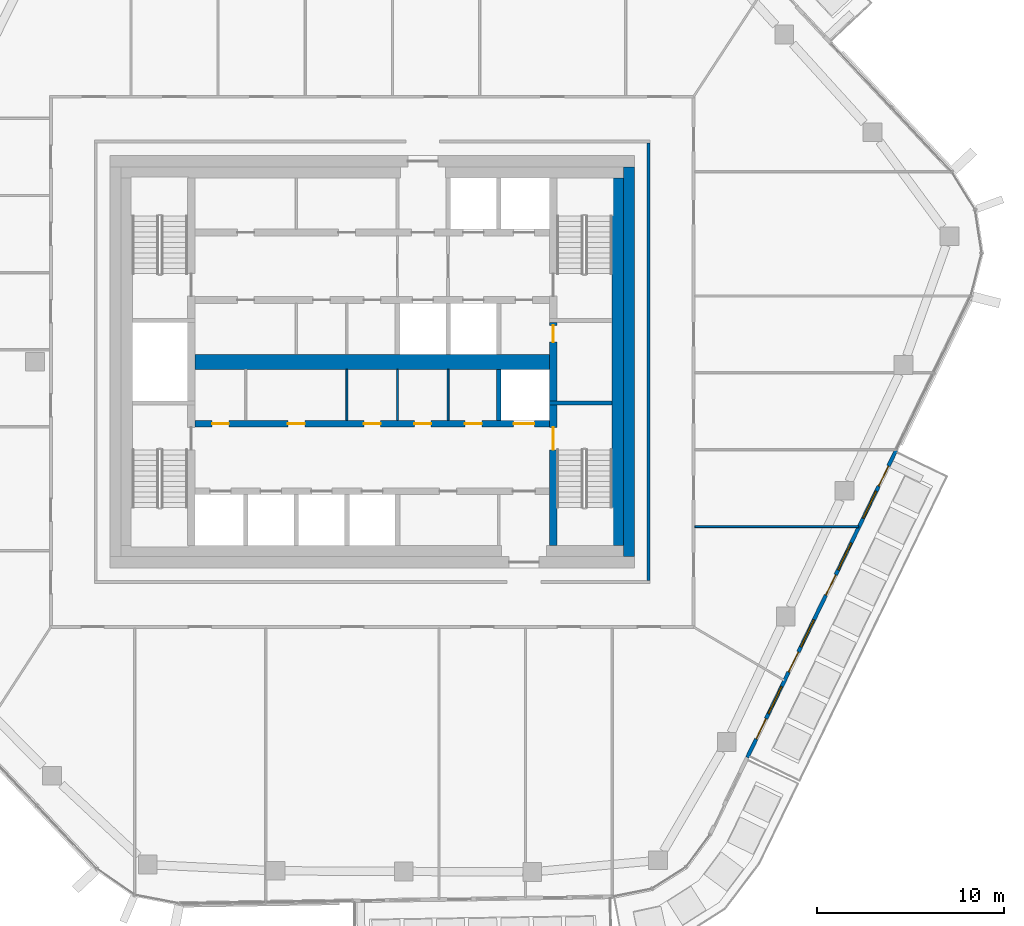
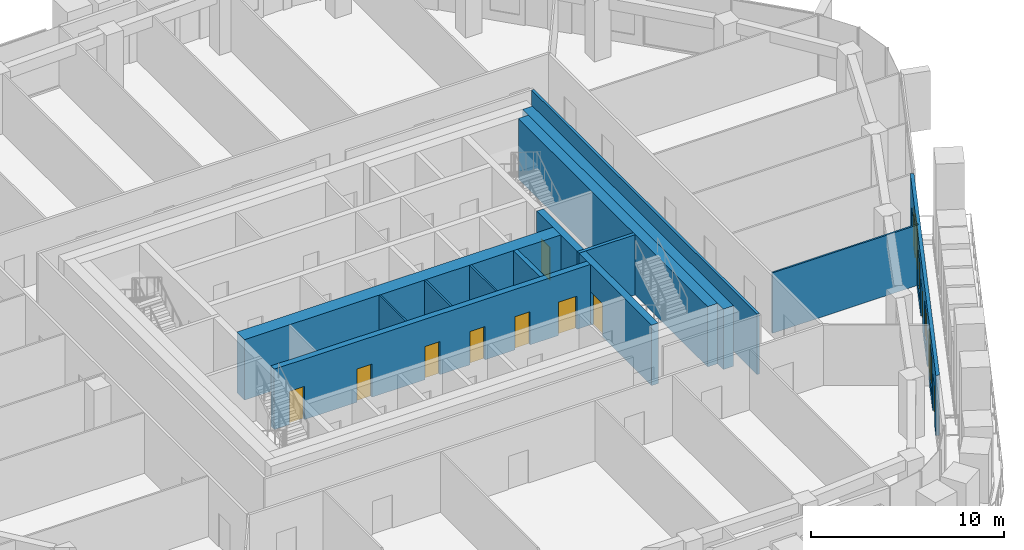
# One storey, part 14 of 24: 14 walls, 12 doors, 4 windows, 16 openings.
"""IFC4 building model written with IfcOpenShell, lengths in metres."""

from ifc_helpers import new_model, si_unit, direction, frame, frame_2d, origin, place, context, subcontext, project, spatial, rectangle, extrude, material, layer, layer_set, type_object, element, fill, save


model = new_model("IFC4")

# Units and contexts
model_context = context("Model", 3, precision=1e-05, world=origin(), true_north=direction((0.0, 1.0)))
body_context = subcontext(model_context, "Body", "Model", "MODEL_VIEW")
ifc_project = project(units=[si_unit("LENGTHUNIT", "METRE"), si_unit("AREAUNIT", "SQUARE_METRE"), si_unit("VOLUMEUNIT", "CUBIC_METRE"), si_unit("PLANEANGLEUNIT", "RADIAN"), si_unit("MASSUNIT", "GRAM", prefix="KILO")], contexts=[model_context])

# Site, building, storey
site_placement = place(None, origin())
site = spatial("IfcSite", under=ifc_project, at=site_placement, CompositionType="ELEMENT")
building_placement = place(site_placement, origin())
building = spatial("IfcBuilding", under=site, at=building_placement, Name="Dongbaek Canopy Tower", CompositionType="ELEMENT")
storey_placement = place(building_placement, frame((0.0, 0.0, 302.60009765625)))
storey = spatial("IfcBuildingStorey", under=building, at=storey_placement, Name="L64", CompositionType="ELEMENT", Elevation=302.60009765625)

# Wall
ifc_material_1 = material(Name="Concrete C60/75", Category="concrete")
ifc_layer_1 = layer(ifc_material_1, 0.800048828125)
ifc_layer_set_1 = layer_set([ifc_layer_1], Name="Core central wall 800 Concrete C60/75")
wall_type_1 = type_object("IfcWallType", Name="Core central wall 800 Concrete C60/75", PredefinedType="SHEAR", material=ifc_layer_set_1)
wall_1_placement = place(storey_placement, frame((-9.449951171875, 0.0, 0.0), z_axis=(0.0, 0.0, 1.0), x_axis=(1.0, 0.0, 0.0)))
element("IfcWall", 1, at=wall_1_placement, inside=storey, type_object=wall_type_1, Name="Core wall", PredefinedType="SHEAR", context=body_context, shape_type="SweptSolid", body=[
    extrude(rectangle(XDim=18.89990234375, YDim=0.800048828125, at=frame_2d((9.449951171875, 0.0))), origin(), (0.0, 0.0, 1.0), 3.81982421875),
])

# Wall, openings, doors
ifc_material_2 = material(Name="Concrete C60/75", Category="concrete")
ifc_layer_2 = layer(ifc_material_2, 0.35009765625)
ifc_layer_set_2 = layer_set([ifc_layer_2], Name="Core lobby wall 350 Concrete C60/75")
wall_type_2 = type_object("IfcWallType", Name="Core lobby wall 350 Concrete C60/75", PredefinedType="SHEAR", material=ifc_layer_set_2)
wall_2_placement = place(storey_placement, frame((-9.449951171875, -3.300048828125, 0.0), z_axis=(0.0, 0.0, 1.0), x_axis=(1.0, 0.0, 0.0)))
wall_2 = element("IfcWall", 2, at=wall_2_placement, inside=storey, type_object=wall_type_2, Name="Core wall", PredefinedType="SHEAR", context=body_context, shape_type="SweptSolid", body=[
    extrude(rectangle(XDim=18.89990234375, YDim=0.35009765625, at=frame_2d((9.449951171875, 0.0))), origin(), (0.0, 0.0, 1.0), 3.81982421875),
])
opening_1_placement = place(wall_2_placement, frame((17.0, 0.0, 0.0)))
opening_1 = element("IfcOpeningElement", 3, at=opening_1_placement, cuts=wall_2, Name="Opening L64-D034", PredefinedType="OPENING", context=body_context, shape_type="SweptSolid", body=[
    extrude(rectangle(XDim=1.10009765625, YDim=2.10009765625, at=frame_2d((0.550048828125, 1.050048828125))), frame((0.0, 0.18505859375, 0.0), z_axis=(0.0, -1.0, 0.0), x_axis=(1.0, 0.0, 0.0)), (0.0, 0.0, 1.0), 0.3701171875),
])
opening_2_placement = place(wall_2_placement, frame((0.89990234375, 0.0, 0.0)))
opening_2 = element("IfcOpeningElement", 4, at=opening_2_placement, cuts=wall_2, Name="Opening L64-D046", PredefinedType="OPENING", context=body_context, shape_type="SweptSolid", body=[
    extrude(rectangle(XDim=0.89990234375, YDim=2.10009765625, at=frame_2d((0.449951171875, 1.050048828125))), frame((0.0, 0.18505859375, 0.0), z_axis=(0.0, -1.0, 0.0), x_axis=(1.0, 0.0, 0.0)), (0.0, 0.0, 1.0), 0.3701171875),
])
opening_3_placement = place(wall_2_placement, frame((4.949951171875, 0.0, 0.0)))
opening_3 = element("IfcOpeningElement", 5, at=opening_3_placement, cuts=wall_2, Name="Opening L64-D047", PredefinedType="OPENING", context=body_context, shape_type="SweptSolid", body=[
    extrude(rectangle(XDim=0.89990234375, YDim=2.10009765625, at=frame_2d((0.449951171875, 1.050048828125))), frame((0.0, 0.18505859375, 0.0), z_axis=(0.0, -1.0, 0.0), x_axis=(1.0, 0.0, 0.0)), (0.0, 0.0, 1.0), 0.3701171875),
])
opening_4_placement = place(wall_2_placement, frame((9.0, 0.0, 0.0)))
opening_4 = element("IfcOpeningElement", 6, at=opening_4_placement, cuts=wall_2, Name="Opening L64-D048", PredefinedType="OPENING", context=body_context, shape_type="SweptSolid", body=[
    extrude(rectangle(XDim=0.89990234375, YDim=2.10009765625, at=frame_2d((0.449951171875, 1.050048828125))), frame((0.0, 0.18505859375, 0.0), z_axis=(0.0, -1.0, 0.0), x_axis=(1.0, 0.0, 0.0)), (0.0, 0.0, 1.0), 0.3701171875),
])
opening_5_placement = place(wall_2_placement, frame((11.699951171875, 0.0, 0.0)))
opening_5 = element("IfcOpeningElement", 7, at=opening_5_placement, cuts=wall_2, Name="Opening L64-D049", PredefinedType="OPENING", context=body_context, shape_type="SweptSolid", body=[
    extrude(rectangle(XDim=0.89990234375, YDim=2.10009765625, at=frame_2d((0.449951171875, 1.050048828125))), frame((0.0, 0.18505859375, 0.0), z_axis=(0.0, -1.0, 0.0), x_axis=(1.0, 0.0, 0.0)), (0.0, 0.0, 1.0), 0.3701171875),
])
opening_6_placement = place(wall_2_placement, frame((14.39990234375, 0.0, 0.0)))
opening_6 = element("IfcOpeningElement", 8, at=opening_6_placement, cuts=wall_2, Name="Opening L64-D050", PredefinedType="OPENING", context=body_context, shape_type="SweptSolid", body=[
    extrude(rectangle(XDim=0.89990234375, YDim=2.10009765625, at=frame_2d((0.449951171875, 1.050048828125))), frame((0.0, 0.18505859375, 0.0), z_axis=(0.0, -1.0, 0.0), x_axis=(1.0, 0.0, 0.0)), (0.0, 0.0, 1.0), 0.3701171875),
])
ifc_material_3 = material(Name="Steel", Category="steel")
door_type_1 = type_object("IfcDoorType", Name="Core room door 900 x 2100", OperationType="SINGLE_SWING_LEFT", PredefinedType="DOOR", material=ifc_material_3)
door_1_placement = place(opening_2_placement, origin())
door_1 = element("IfcDoor", 9, at=door_1_placement, inside=storey, type_object=door_type_1, Name="Door L64-D046", OperationType="SINGLE_SWING_LEFT", OverallHeight=2.10009765625, OverallWidth=0.89990234375, PredefinedType="DOOR", context=body_context, shape_type="SweptSolid", body=[
    extrude(rectangle(XDim=0.89990234375, YDim=2.10009765625, at=frame_2d((0.449951171875, 1.050048828125))), frame((0.0, 0.02490234375, 0.0), z_axis=(0.0, -1.0, 0.0), x_axis=(1.0, 0.0, 0.0)), (0.0, 0.0, 1.0), 0.050048828125),
])
fill(opening_2, door_1)
door_2_placement = place(opening_3_placement, origin())
door_2 = element("IfcDoor", 10, at=door_2_placement, inside=storey, type_object=door_type_1, Name="Door L64-D047", OperationType="SINGLE_SWING_RIGHT", OverallHeight=2.10009765625, OverallWidth=0.89990234375, PredefinedType="DOOR", context=body_context, shape_type="SweptSolid", body=[
    extrude(rectangle(XDim=0.89990234375, YDim=2.10009765625, at=frame_2d((0.449951171875, 1.050048828125))), frame((0.0, 0.02490234375, 0.0), z_axis=(0.0, -1.0, 0.0), x_axis=(1.0, 0.0, 0.0)), (0.0, 0.0, 1.0), 0.050048828125),
])
fill(opening_3, door_2)
door_3_placement = place(opening_4_placement, origin())
door_3 = element("IfcDoor", 11, at=door_3_placement, inside=storey, type_object=door_type_1, Name="Door L64-D048", OperationType="SINGLE_SWING_LEFT", OverallHeight=2.10009765625, OverallWidth=0.89990234375, PredefinedType="DOOR", context=body_context, shape_type="SweptSolid", body=[
    extrude(rectangle(XDim=0.89990234375, YDim=2.10009765625, at=frame_2d((0.449951171875, 1.050048828125))), frame((0.0, 0.02490234375, 0.0), z_axis=(0.0, -1.0, 0.0), x_axis=(1.0, 0.0, 0.0)), (0.0, 0.0, 1.0), 0.050048828125),
])
fill(opening_4, door_3)
door_4_placement = place(opening_5_placement, origin())
door_4 = element("IfcDoor", 12, at=door_4_placement, inside=storey, type_object=door_type_1, Name="Door L64-D049", OperationType="SINGLE_SWING_RIGHT", OverallHeight=2.10009765625, OverallWidth=0.89990234375, PredefinedType="DOOR", context=body_context, shape_type="SweptSolid", body=[
    extrude(rectangle(XDim=0.89990234375, YDim=2.10009765625, at=frame_2d((0.449951171875, 1.050048828125))), frame((0.0, 0.02490234375, 0.0), z_axis=(0.0, -1.0, 0.0), x_axis=(1.0, 0.0, 0.0)), (0.0, 0.0, 1.0), 0.050048828125),
])
fill(opening_5, door_4)
door_5_placement = place(opening_6_placement, origin())
door_5 = element("IfcDoor", 13, at=door_5_placement, inside=storey, type_object=door_type_1, Name="Door L64-D050", OperationType="SINGLE_SWING_LEFT", OverallHeight=2.10009765625, OverallWidth=0.89990234375, PredefinedType="DOOR", context=body_context, shape_type="SweptSolid", body=[
    extrude(rectangle(XDim=0.89990234375, YDim=2.10009765625, at=frame_2d((0.449951171875, 1.050048828125))), frame((0.0, 0.02490234375, 0.0), z_axis=(0.0, -1.0, 0.0), x_axis=(1.0, 0.0, 0.0)), (0.0, 0.0, 1.0), 0.050048828125),
])
fill(opening_6, door_5)
ifc_material_4 = material(Name="Stainless steel", Category="steel")
door_type_2 = type_object("IfcDoorType", Name="Lift landing door 1100 x 2100", OperationType="DOUBLE_DOOR_SLIDING", PredefinedType="DOOR", material=ifc_material_4)
door_6_placement = place(opening_1_placement, origin())
door_6 = element("IfcDoor", 14, at=door_6_placement, inside=storey, type_object=door_type_2, Name="Landing door SV2", OperationType="DOUBLE_DOOR_SLIDING", OverallHeight=2.10009765625, OverallWidth=1.10009765625, PredefinedType="DOOR", context=body_context, shape_type="SweptSolid", body=[
    extrude(rectangle(XDim=1.10009765625, YDim=2.10009765625, at=frame_2d((0.550048828125, 1.050048828125))), frame((0.0, 0.02490234375, 0.0), z_axis=(0.0, -1.0, 0.0), x_axis=(1.0, 0.0, 0.0)), (0.0, 0.0, 1.0), 0.050048828125),
])
fill(opening_1, door_6)

# Walls
ifc_material_5 = material(Name="Concrete C80/95", Category="concrete")
ifc_layer_3 = layer(ifc_material_5, 0.60009765625)
ifc_layer_set_3 = layer_set([ifc_layer_3], Name="Core outer wall 600 Concrete C80/95")
wall_type_3 = type_object("IfcWallType", Name="Core outer wall 600 Concrete C80/95", PredefinedType="SHEAR", material=ifc_layer_set_3)
wall_3_placement = place(storey_placement, frame((13.699951171875, 10.39990234375, 0.0), z_axis=(0.0, 0.0, 1.0), x_axis=(0.0, -1.0, 0.0)))
element("IfcWall", 15, at=wall_3_placement, inside=storey, type_object=wall_type_3, Name="Core wall", PredefinedType="SHEAR", context=body_context, shape_type="SweptSolid", body=[
    extrude(rectangle(XDim=20.7998046875, YDim=0.60009765625, at=frame_2d((10.39990234375, 0.0))), origin(), (0.0, 0.0, 1.0), 3.81982421875),
])
ifc_material_6 = material(Name="Concrete C60/75", Category="concrete")
ifc_layer_4 = layer(ifc_material_6, 0.60009765625)
ifc_layer_set_4 = layer_set([ifc_layer_4], Name="Core wall lining 600 Concrete C60/75")
wall_type_4 = type_object("IfcWallType", Name="Core wall lining 600 Concrete C60/75", PredefinedType="SHEAR", material=ifc_layer_set_4)
wall_4_placement = place(storey_placement, frame((13.10009765625, 9.800048828125, 0.0), z_axis=(0.0, 0.0, 1.0), x_axis=(0.0, -1.0, 0.0)))
element("IfcWall", 16, at=wall_4_placement, inside=storey, type_object=wall_type_4, Name="Core wall lining", PredefinedType="SHEAR", context=body_context, shape_type="SweptSolid", body=[
    extrude(rectangle(XDim=19.60009765625, YDim=0.60009765625, at=frame_2d((9.800048828125, 0.0))), origin(), (0.0, 0.0, 1.0), 3.81982421875),
])
ifc_material_7 = material(Name="Gypsum board partition, steel stud, 2 x 15 mm fire board", Category="steel")
ifc_layer_5 = layer(ifc_material_7, 0.14990234375)
ifc_layer_set_5 = layer_set([ifc_layer_5], Name="Fire-rated partition 150 gypsum board")
wall_type_5 = type_object("IfcWallType", Name="Fire-rated partition 150 gypsum board", PredefinedType="PARTITIONING", material=ifc_layer_set_5)
wall_5_placement = place(storey_placement, frame((14.75, -11.675048828125, 0.0), z_axis=(0.0, 0.0, 1.0), x_axis=(0.0, 1.0, 0.0)))
element("IfcWall", 17, at=wall_5_placement, inside=storey, type_object=wall_type_5, Name="Corridor partition", PredefinedType="PARTITIONING", context=body_context, shape_type="SweptSolid", body=[
    extrude(rectangle(XDim=23.35009765625, YDim=0.14990234375, at=frame_2d((11.675048828125, 0.0))), origin(), (0.0, 0.0, 1.0), 3.81982421875),
])
ifc_material_8 = material(Name="Concrete C40/50", Category="concrete")
ifc_layer_6 = layer(ifc_material_8, 0.25)
ifc_layer_set_6 = layer_set([ifc_layer_6], Name="Lift shaft wall 250 Concrete C40/50")
wall_type_6 = type_object("IfcWallType", Name="Lift shaft wall 250 Concrete C40/50", PredefinedType="SOLIDWALL", material=ifc_layer_set_6)
wall_6_placement = place(storey_placement, frame((6.75, -3.125, 0.0), z_axis=(0.0, 0.0, 1.0), x_axis=(0.0, 1.0, 0.0)))
element("IfcWall", 18, at=wall_6_placement, inside=storey, type_object=wall_type_6, Name="Lift shaft wall", PredefinedType="SOLIDWALL", context=body_context, shape_type="SweptSolid", body=[
    extrude(rectangle(XDim=2.72509765625, YDim=0.25, at=frame_2d((1.362548828125, 0.0))), origin(), (0.0, 0.0, 1.0), 3.81982421875),
])
ifc_material_9 = material(Name="Gypsum board partition, steel stud, 2 x 12.5 mm board", Category="steel")
ifc_layer_7 = layer(ifc_material_9, 0.10009765625)
ifc_layer_set_7 = layer_set([ifc_layer_7], Name="Partition 100 gypsum board")
wall_type_7 = type_object("IfcWallType", Name="Partition 100 gypsum board", PredefinedType="PARTITIONING", material=ifc_layer_set_7)
wall_7_placement = place(storey_placement, frame((17.22509765625, -8.798095703125, 0.0), z_axis=(0.0, 0.0, 1.0), x_axis=(1.0, 0.0, 0.0)))
element("IfcWall", 19, at=wall_7_placement, inside=storey, type_object=wall_type_7, Name="Partition", PredefinedType="PARTITIONING", context=body_context, shape_type="SweptSolid", body=[
    extrude(rectangle(XDim=8.735107421875, YDim=0.10009765625, at=frame_2d((4.36767578125, 0.0))), origin(), (0.0, 0.0, 1.0), 3.81982421875),
])
for number, where, z_axis, x_axis, name in (
    (20, (4.050048828125, -3.125, 0.0), (0.0, 0.0, 1.0), (0.0, 1.0, 0.0), "Core partition"),
    (21, (1.35009765625, -3.125, 0.0), (0.0, 0.0, 1.0), (0.0, 1.0, 0.0), "Core partition"),
    (22, (-1.35009765625, -3.125, 0.0), (0.0, 0.0, 1.0), (0.0, 1.0, 0.0), "Core partition"),
):
    element("IfcWall", number, at=place(storey_placement, frame(where, z_axis=z_axis, x_axis=x_axis)), inside=storey, type_object=wall_type_7, Name=name, PredefinedType="PARTITIONING", context=body_context, shape_type="SweptSolid", body=[
        extrude(rectangle(XDim=2.72509765625, YDim=0.10009765625, at=frame_2d((1.362548828125, 0.0))), origin(), (0.0, 0.0, 1.0), 3.81982421875),
    ])
ifc_material_10 = material(Name="Concrete C60/75", Category="concrete")
ifc_layer_8 = layer(ifc_material_10, 0.199951171875)
ifc_layer_set_8 = layer_set([ifc_layer_8], Name="Riser wall 200 Concrete C60/75")
wall_type_8 = type_object("IfcWallType", Name="Riser wall 200 Concrete C60/75", PredefinedType="SHEAR", material=ifc_layer_set_8)
wall_8_placement = place(storey_placement, frame((9.449951171875, -2.199951171875, 0.0), z_axis=(0.0, 0.0, 1.0), x_axis=(1.0, 0.0, 0.0)))
element("IfcWall", 23, at=wall_8_placement, inside=storey, type_object=wall_type_8, Name="Riser wall", PredefinedType="SHEAR", context=body_context, shape_type="SweptSolid", body=[
    extrude(rectangle(XDim=3.35009765625, YDim=0.199951171875, at=frame_2d((1.675048828125, 0.0))), origin(), (0.0, 0.0, 1.0), 3.81982421875),
])

# Wall, opening, door
ifc_material_11 = material(Name="Concrete C60/75", Category="concrete")
ifc_layer_9 = layer(ifc_material_11, 0.39990234375)
ifc_layer_set_9 = layer_set([ifc_layer_9], Name="Stair wall 400 Concrete C60/75")
wall_type_9 = type_object("IfcWallType", Name="Stair wall 400 Concrete C60/75", PredefinedType="SHEAR", material=ifc_layer_set_9)
wall_9_placement = place(storey_placement, frame((9.64990234375, -2.300048828125, 0.0), z_axis=(0.0, 0.0, 1.0), x_axis=(0.0, -1.0, 0.0)))
wall_9 = element("IfcWall", 24, at=wall_9_placement, inside=storey, type_object=wall_type_9, Name="Stair wall", PredefinedType="SHEAR", context=body_context, shape_type="SweptSolid", body=[
    extrude(rectangle(XDim=7.5, YDim=0.39990234375, at=frame_2d((3.75, 0.0))), origin(), (0.0, 0.0, 1.0), 3.81982421875),
])
opening_7_placement = place(wall_9_placement, frame((1.199951171875, 0.0, 0.0)))
opening_7 = element("IfcOpeningElement", 25, at=opening_7_placement, cuts=wall_9, Name="Opening L64-D054", PredefinedType="OPENING", context=body_context, shape_type="SweptSolid", body=[
    extrude(rectangle(XDim=1.199951171875, YDim=2.10009765625, at=frame_2d((0.60009765625, 1.050048828125))), frame((0.0, 0.2099609375, 0.0), z_axis=(0.0, -1.0, 0.0), x_axis=(1.0, 0.0, 0.0)), (0.0, 0.0, 1.0), 0.419921875),
])
ifc_material_12 = material(Name="Steel", Category="steel")
door_type_3 = type_object("IfcDoorType", Name="Stair door 1200 x 2100", OperationType="SINGLE_SWING_LEFT", PredefinedType="DOOR", material=ifc_material_12)
door_7_placement = place(opening_7_placement, origin())
door_7 = element("IfcDoor", 26, at=door_7_placement, inside=storey, type_object=door_type_3, Name="Stair B door", OperationType="SINGLE_SWING_RIGHT", OverallHeight=2.10009765625, OverallWidth=1.199951171875, PredefinedType="DOOR", context=body_context, shape_type="SweptSolid", body=[
    extrude(rectangle(XDim=1.199951171875, YDim=2.10009765625, at=frame_2d((0.60009765625, 1.050048828125))), frame((0.0, 0.02490234375, 0.0), z_axis=(0.0, -1.0, 0.0), x_axis=(1.0, 0.0, 0.0)), (0.0, 0.0, 1.0), 0.050048828125),
])
fill(opening_7, door_7)

wall_10_placement = place(storey_placement, frame((9.64990234375, 2.10009765625, 0.0), z_axis=(0.0, 0.0, 1.0), x_axis=(0.0, -1.0, 0.0)))
wall_10 = element("IfcWall", 27, at=wall_10_placement, inside=storey, type_object=wall_type_9, Name="Stair wall", PredefinedType="SHEAR", context=body_context, shape_type="SweptSolid", body=[
    extrude(rectangle(XDim=4.2001953125, YDim=0.39990234375, at=frame_2d((2.10009765625, 0.0))), origin(), (0.0, 0.0, 1.0), 3.81982421875),
])
opening_8_placement = place(wall_10_placement, frame((0.14990234375, 0.0, 0.0)))
opening_8 = element("IfcOpeningElement", 28, at=opening_8_placement, cuts=wall_10, Name="Opening L64-D026", PredefinedType="OPENING", context=body_context, shape_type="SweptSolid", body=[
    extrude(rectangle(XDim=0.89990234375, YDim=2.10009765625, at=frame_2d((0.449951171875, 1.050048828125))), frame((0.0, 0.2099609375, 0.0), z_axis=(0.0, -1.0, 0.0), x_axis=(1.0, 0.0, 0.0)), (0.0, 0.0, 1.0), 0.419921875),
])
door_8_placement = place(opening_8_placement, origin())
door_8 = element("IfcDoor", 29, at=door_8_placement, inside=storey, type_object=door_type_1, Name="Door L64-D026", OperationType="SINGLE_SWING_RIGHT", OverallHeight=2.10009765625, OverallWidth=0.89990234375, PredefinedType="DOOR", context=body_context, shape_type="SweptSolid", body=[
    extrude(rectangle(XDim=0.89990234375, YDim=2.10009765625, at=frame_2d((0.449951171875, 1.050048828125))), frame((0.0, 0.02490234375, 0.0), z_axis=(0.0, -1.0, 0.0), x_axis=(1.0, 0.0, 0.0)), (0.0, 0.0, 1.0), 0.050048828125),
])
fill(opening_8, door_8)

# Wall, openings, doors, windows
ifc_material_13 = material(Name="Aluminium window wall", Category="aluminium")
ifc_layer_10 = layer(ifc_material_13, 0.199951171875)
ifc_layer_set_10 = layer_set([ifc_layer_10], Name="Window wall 200")
wall_type_10 = type_object("IfcWallType", Name="Window wall 200", PredefinedType="SOLIDWALL", material=ifc_layer_set_10)
wall_11_placement = place(storey_placement, frame((20.016845703125, -21.115966796875, 0.0), z_axis=(0.0, 0.0, 1.0), x_axis=(0.435859541182, 0.90001470008, 0.0)))
wall_11 = element("IfcWall", 30, at=wall_11_placement, inside=storey, type_object=wall_type_10, Name="Window wall L64 5", PredefinedType="SOLIDWALL", context=body_context, shape_type="SweptSolid", body=[
    extrude(rectangle(XDim=18.248779296875, YDim=0.199951171875, at=frame_2d((9.12451171875, 0.0))), origin(), (0.0, 0.0, 1.0), 3.81982421875),
])
opening_9_placement = place(wall_11_placement, frame((2.60009765625, 0.0, 0.60009765625)))
opening_9 = element("IfcOpeningElement", 31, at=opening_9_placement, cuts=wall_11, Name="Opening W1", PredefinedType="OPENING", context=body_context, shape_type="SweptSolid", body=[
    extrude(rectangle(XDim=1.60009765625, YDim=2.39990234375, at=frame_2d((0.800048828125, 1.199951171875))), frame((0.0, 0.10986328125, 0.0), z_axis=(0.0, -1.0, 0.0), x_axis=(1.0, 0.0, 0.0)), (0.0, 0.0, 1.0), 0.219970703125),
])
opening_10_placement = place(wall_11_placement, frame((1.10009765625, 0.0, 0.0)))
opening_10 = element("IfcOpeningElement", 32, at=opening_10_placement, cuts=wall_11, Name="Opening L64-B13", PredefinedType="OPENING", context=body_context, shape_type="SweptSolid", body=[
    extrude(rectangle(XDim=1.199951171875, YDim=2.39990234375, at=frame_2d((0.60009765625, 1.199951171875))), frame((0.0, 0.10986328125, 0.0), z_axis=(0.0, -1.0, 0.0), x_axis=(1.0, 0.0, 0.0)), (0.0, 0.0, 1.0), 0.219970703125),
])
opening_11_placement = place(wall_11_placement, frame((6.562255859375, 0.0, 0.60009765625)))
opening_11 = element("IfcOpeningElement", 33, at=opening_11_placement, cuts=wall_11, Name="Opening W1", PredefinedType="OPENING", context=body_context, shape_type="SweptSolid", body=[
    extrude(rectangle(XDim=1.60009765625, YDim=2.39990234375, at=frame_2d((0.800048828125, 1.199951171875))), frame((0.0, 0.10986328125, 0.0), z_axis=(0.0, -1.0, 0.0), x_axis=(1.0, 0.0, 0.0)), (0.0, 0.0, 1.0), 0.219970703125),
])
opening_12_placement = place(wall_11_placement, frame((5.062255859375, 0.0, 0.0)))
opening_12 = element("IfcOpeningElement", 34, at=opening_12_placement, cuts=wall_11, Name="Opening L64-B14", PredefinedType="OPENING", context=body_context, shape_type="SweptSolid", body=[
    extrude(rectangle(XDim=1.199951171875, YDim=2.39990234375, at=frame_2d((0.60009765625, 1.199951171875))), frame((0.0, 0.10986328125, 0.0), z_axis=(0.0, -1.0, 0.0), x_axis=(1.0, 0.0, 0.0)), (0.0, 0.0, 1.0), 0.219970703125),
])
opening_13_placement = place(wall_11_placement, frame((11.12451171875, 0.0, 0.60009765625)))
opening_13 = element("IfcOpeningElement", 35, at=opening_13_placement, cuts=wall_11, Name="Opening W1", PredefinedType="OPENING", context=body_context, shape_type="SweptSolid", body=[
    extrude(rectangle(XDim=1.60009765625, YDim=2.39990234375, at=frame_2d((0.800048828125, 1.199951171875))), frame((0.0, 0.10986328125, 0.0), z_axis=(0.0, -1.0, 0.0), x_axis=(1.0, 0.0, 0.0)), (0.0, 0.0, 1.0), 0.219970703125),
])
opening_14_placement = place(wall_11_placement, frame((9.62451171875, 0.0, 0.0)))
opening_14 = element("IfcOpeningElement", 36, at=opening_14_placement, cuts=wall_11, Name="Opening L64-B15", PredefinedType="OPENING", context=body_context, shape_type="SweptSolid", body=[
    extrude(rectangle(XDim=1.199951171875, YDim=2.39990234375, at=frame_2d((0.60009765625, 1.199951171875))), frame((0.0, 0.10986328125, 0.0), z_axis=(0.0, -1.0, 0.0), x_axis=(1.0, 0.0, 0.0)), (0.0, 0.0, 1.0), 0.219970703125),
])
opening_15_placement = place(wall_11_placement, frame((14.1865234375, 0.0, 0.60009765625)))
opening_15 = element("IfcOpeningElement", 37, at=opening_15_placement, cuts=wall_11, Name="Opening W1", PredefinedType="OPENING", context=body_context, shape_type="SweptSolid", body=[
    extrude(rectangle(XDim=1.60009765625, YDim=2.39990234375, at=frame_2d((0.800048828125, 1.199951171875))), frame((0.0, 0.10986328125, 0.0), z_axis=(0.0, -1.0, 0.0), x_axis=(1.0, 0.0, 0.0)), (0.0, 0.0, 1.0), 0.219970703125),
])
opening_16_placement = place(wall_11_placement, frame((16.086669921875, 0.0, 0.0)))
opening_16 = element("IfcOpeningElement", 38, at=opening_16_placement, cuts=wall_11, Name="Opening L64-B16", PredefinedType="OPENING", context=body_context, shape_type="SweptSolid", body=[
    extrude(rectangle(XDim=1.199951171875, YDim=2.39990234375, at=frame_2d((0.60009765625, 1.199951171875))), frame((0.0, 0.10986328125, 0.0), z_axis=(0.0, -1.0, 0.0), x_axis=(1.0, 0.0, 0.0)), (0.0, 0.0, 1.0), 0.219970703125),
])
ifc_material_14 = material(Name="Clear glazing in aluminium frame", Category="aluminium")
door_type_4 = type_object("IfcDoorType", Name="Balcony door BD1 1200 x 2400", OperationType="SLIDING_TO_LEFT", PredefinedType="DOOR", material=ifc_material_14)
door_9_placement = place(opening_10_placement, origin())
door_9 = element("IfcDoor", 39, at=door_9_placement, inside=storey, type_object=door_type_4, Name="Balcony door L64-B13", OperationType="SLIDING_TO_LEFT", OverallHeight=2.39990234375, OverallWidth=1.199951171875, PredefinedType="DOOR", context=body_context, shape_type="SweptSolid", body=[
    extrude(rectangle(XDim=1.199951171875, YDim=2.39990234375, at=frame_2d((0.60009765625, 1.199951171875))), frame((0.0, 0.02490234375, 0.0), z_axis=(0.0, -1.0, 0.0), x_axis=(1.0, 0.0, 0.0)), (0.0, 0.0, 1.0), 0.050048828125),
])
fill(opening_10, door_9)
door_10_placement = place(opening_12_placement, origin())
door_10 = element("IfcDoor", 40, at=door_10_placement, inside=storey, type_object=door_type_4, Name="Balcony door L64-B14", OperationType="SLIDING_TO_LEFT", OverallHeight=2.39990234375, OverallWidth=1.199951171875, PredefinedType="DOOR", context=body_context, shape_type="SweptSolid", body=[
    extrude(rectangle(XDim=1.199951171875, YDim=2.39990234375, at=frame_2d((0.60009765625, 1.199951171875))), frame((0.0, 0.02490234375, 0.0), z_axis=(0.0, -1.0, 0.0), x_axis=(1.0, 0.0, 0.0)), (0.0, 0.0, 1.0), 0.050048828125),
])
fill(opening_12, door_10)
door_11_placement = place(opening_14_placement, origin())
door_11 = element("IfcDoor", 41, at=door_11_placement, inside=storey, type_object=door_type_4, Name="Balcony door L64-B15", OperationType="SLIDING_TO_LEFT", OverallHeight=2.39990234375, OverallWidth=1.199951171875, PredefinedType="DOOR", context=body_context, shape_type="SweptSolid", body=[
    extrude(rectangle(XDim=1.199951171875, YDim=2.39990234375, at=frame_2d((0.60009765625, 1.199951171875))), frame((0.0, 0.02490234375, 0.0), z_axis=(0.0, -1.0, 0.0), x_axis=(1.0, 0.0, 0.0)), (0.0, 0.0, 1.0), 0.050048828125),
])
fill(opening_14, door_11)
door_12_placement = place(opening_16_placement, origin())
door_12 = element("IfcDoor", 42, at=door_12_placement, inside=storey, type_object=door_type_4, Name="Balcony door L64-B16", OperationType="SLIDING_TO_LEFT", OverallHeight=2.39990234375, OverallWidth=1.199951171875, PredefinedType="DOOR", context=body_context, shape_type="SweptSolid", body=[
    extrude(rectangle(XDim=1.199951171875, YDim=2.39990234375, at=frame_2d((0.60009765625, 1.199951171875))), frame((0.0, 0.02490234375, 0.0), z_axis=(0.0, -1.0, 0.0), x_axis=(1.0, 0.0, 0.0)), (0.0, 0.0, 1.0), 0.050048828125),
])
fill(opening_16, door_12)
ifc_material_15 = material(Name="Clear glazing in aluminium frame", Category="aluminium")
window_type = type_object("IfcWindowType", Name="Window W1 1600 x 2400", PartitioningType="SINGLE_PANEL", PredefinedType="WINDOW", material=ifc_material_15)
window_1_placement = place(opening_9_placement, origin())
window_1 = element("IfcWindow", 43, at=window_1_placement, inside=storey, type_object=window_type, Name="Window L64 5.1", OverallHeight=2.39990234375, OverallWidth=1.60009765625, PartitioningType="SINGLE_PANEL", PredefinedType="WINDOW", context=body_context, shape_type="SweptSolid", body=[
    extrude(rectangle(XDim=1.60009765625, YDim=2.39990234375, at=frame_2d((0.800048828125, 1.199951171875))), frame((0.0, 0.030029296875, 0.0), z_axis=(0.0, -1.0, 0.0), x_axis=(1.0, 0.0, 0.0)), (0.0, 0.0, 1.0), 0.06005859375),
])
fill(opening_9, window_1)
window_2_placement = place(opening_11_placement, origin())
window_2 = element("IfcWindow", 44, at=window_2_placement, inside=storey, type_object=window_type, Name="Window L64 5.2", OverallHeight=2.39990234375, OverallWidth=1.60009765625, PartitioningType="SINGLE_PANEL", PredefinedType="WINDOW", context=body_context, shape_type="SweptSolid", body=[
    extrude(rectangle(XDim=1.60009765625, YDim=2.39990234375, at=frame_2d((0.800048828125, 1.199951171875))), frame((0.0, 0.030029296875, 0.0), z_axis=(0.0, -1.0, 0.0), x_axis=(1.0, 0.0, 0.0)), (0.0, 0.0, 1.0), 0.06005859375),
])
fill(opening_11, window_2)
window_3_placement = place(opening_13_placement, origin())
window_3 = element("IfcWindow", 45, at=window_3_placement, inside=storey, type_object=window_type, Name="Window L64 5.3", OverallHeight=2.39990234375, OverallWidth=1.60009765625, PartitioningType="SINGLE_PANEL", PredefinedType="WINDOW", context=body_context, shape_type="SweptSolid", body=[
    extrude(rectangle(XDim=1.60009765625, YDim=2.39990234375, at=frame_2d((0.800048828125, 1.199951171875))), frame((0.0, 0.030029296875, 0.0), z_axis=(0.0, -1.0, 0.0), x_axis=(1.0, 0.0, 0.0)), (0.0, 0.0, 1.0), 0.06005859375),
])
fill(opening_13, window_3)
window_4_placement = place(opening_15_placement, origin())
window_4 = element("IfcWindow", 46, at=window_4_placement, inside=storey, type_object=window_type, Name="Window L64 5.4", OverallHeight=2.39990234375, OverallWidth=1.60009765625, PartitioningType="SINGLE_PANEL", PredefinedType="WINDOW", context=body_context, shape_type="SweptSolid", body=[
    extrude(rectangle(XDim=1.60009765625, YDim=2.39990234375, at=frame_2d((0.800048828125, 1.199951171875))), frame((0.0, 0.030029296875, 0.0), z_axis=(0.0, -1.0, 0.0), x_axis=(1.0, 0.0, 0.0)), (0.0, 0.0, 1.0), 0.06005859375),
])
fill(opening_15, window_4)

save(model, "model.ifc")
